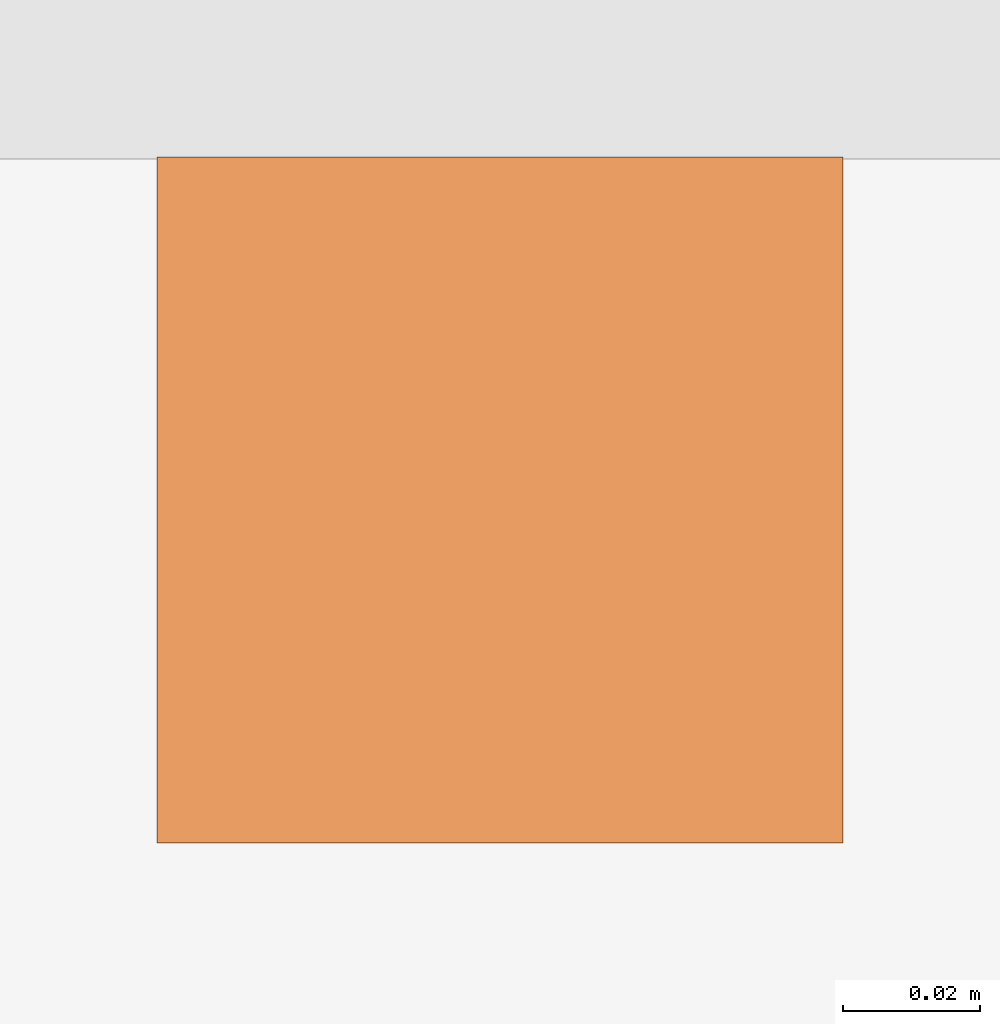
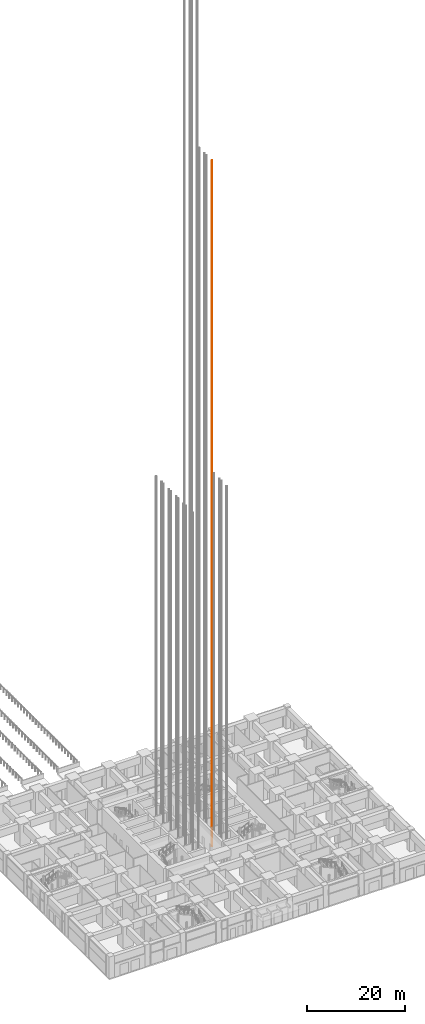
# One storey, part 71 of 81: 1 proxy.
"""IFC4 building model written with IfcOpenShell, lengths in metres."""

from ifc_helpers import new_model, si_unit, direction, frame, origin, origin_2d, place, context, subcontext, project, spatial, rectangle, extrude, material, type_object, element, save


model = new_model("IFC4")

# Units and contexts
model_context = context("Model", 3, precision=1e-05, world=origin(), true_north=direction((0.0, 1.0)))
body_context = subcontext(model_context, "Body", "Model", "MODEL_VIEW")
ifc_project = project(units=[si_unit("LENGTHUNIT", "METRE"), si_unit("AREAUNIT", "SQUARE_METRE"), si_unit("VOLUMEUNIT", "CUBIC_METRE"), si_unit("PLANEANGLEUNIT", "RADIAN"), si_unit("MASSUNIT", "GRAM", prefix="KILO")], contexts=[model_context])

# Site, building, storey
site_placement = place(None, origin())
site = spatial("IfcSite", under=ifc_project, at=site_placement, CompositionType="ELEMENT")
building_placement = place(site_placement, origin())
building = spatial("IfcBuilding", under=site, at=building_placement, Name="Rekha Terrace Tower", CompositionType="ELEMENT")
storey_placement = place(building_placement, origin())
storey = spatial("IfcBuildingStorey", under=building, at=storey_placement, Name="L00", CompositionType="ELEMENT", Elevation=0.0)

# Proxy
ifc_material = material(Name="Steel guide rail", Category="steel")
building_element_proxy_type = type_object("IfcBuildingElementProxyType", Name="LR1 100 lift guide rail", PredefinedType="ELEMENT", material=ifc_material)
proxy_placement = place(storey_placement, frame((41.14990234375, 29.800048828125, 0.0), z_axis=(0.0, 0.0, 1.0), x_axis=(1.0, 0.0, 0.0)))
element("IfcBuildingElementProxy", 1, at=proxy_placement, inside=storey, type_object=building_element_proxy_type, Name="Lift SH3 guide rail 1", PredefinedType="ELEMENT", context=body_context, shape_type="SweptSolid", body=[
    extrude(rectangle(XDim=0.10009765625, YDim=0.10009765625, at=origin_2d()), origin(), (0.0, 0.0, 1.0), 170.60009765625),
])

save(model, "model.ifc")
